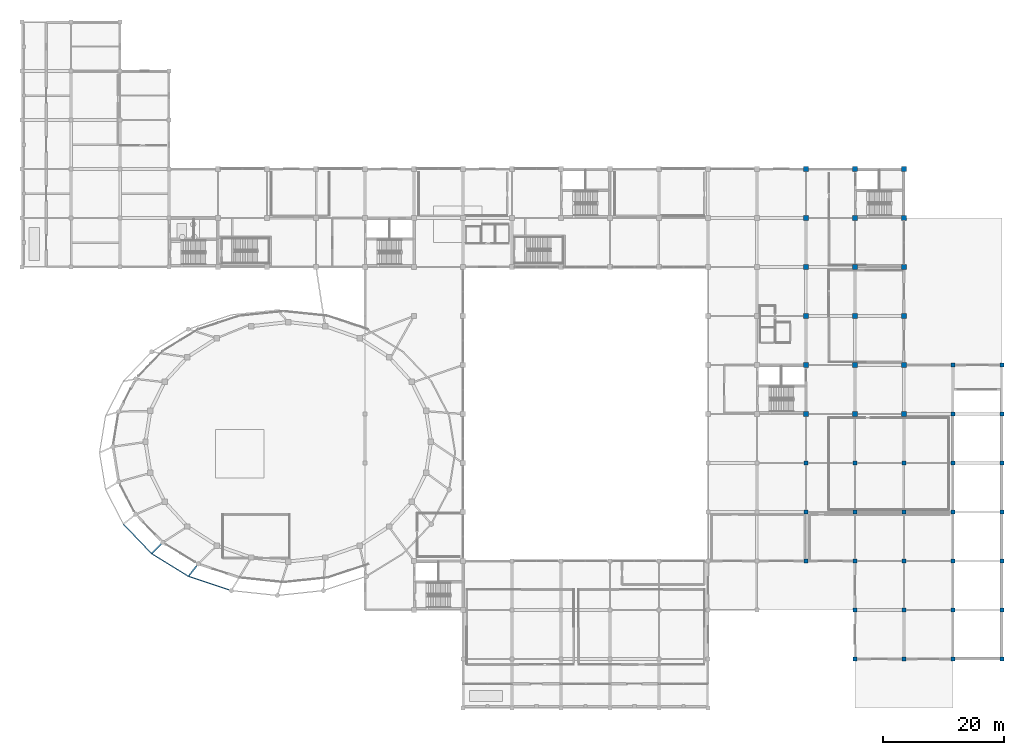
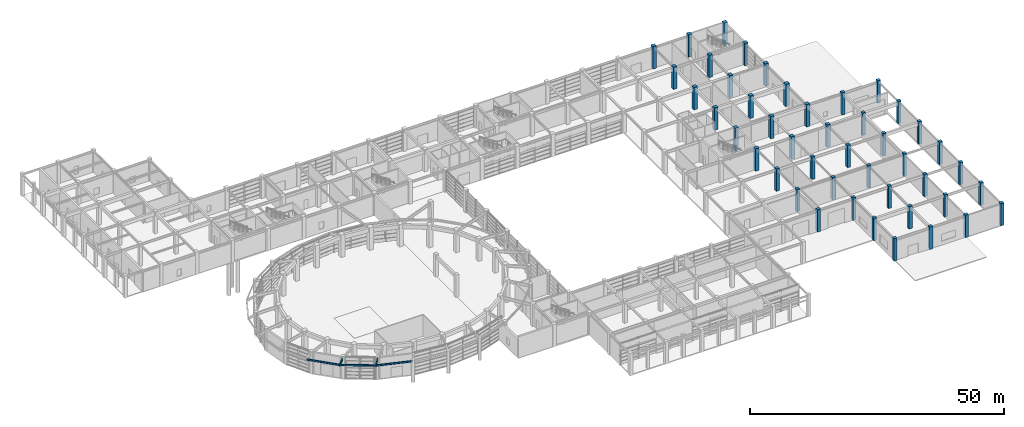
# One storey, part 2 of 52: 45 columns, 5 beams.
"""IFC4 building model written with IfcOpenShell, lengths in metres."""

from ifc_helpers import new_model, si_unit, direction, frame, origin, origin_2d, place, context, subcontext, project, spatial, rectangle, i_section, extrude, material, material_profile, profile_set, type_object, element, save


model = new_model("IFC4")

# Units and contexts
model_context = context("Model", 3, precision=1e-05, world=origin(), true_north=direction((0.0, 1.0)))
body_context = subcontext(model_context, "Body", "Model", "MODEL_VIEW")
ifc_project = project(units=[si_unit("LENGTHUNIT", "METRE"), si_unit("AREAUNIT", "SQUARE_METRE"), si_unit("VOLUMEUNIT", "CUBIC_METRE"), si_unit("PLANEANGLEUNIT", "RADIAN"), si_unit("MASSUNIT", "GRAM", prefix="KILO")], contexts=[model_context])

# Site, building, storey
site_placement = place(None, origin())
site = spatial("IfcSite", under=ifc_project, at=site_placement, CompositionType="ELEMENT")
building_placement = place(site_placement, origin())
building = spatial("IfcBuilding", under=site, at=building_placement, Name="Parian Resonance Hall", CompositionType="ELEMENT")
storey_placement = place(building_placement, origin())
storey = spatial("IfcBuildingStorey", under=building, at=storey_placement, Name="L00", CompositionType="ELEMENT", Elevation=0.0)

# Columns
ifc_material_1 = material(Name="Concrete C40/50", Category="concrete")
ifc_material_profile_1 = material_profile(ifc_material_1, rectangle(XDim=0.699951171875, YDim=0.699951171875, at=origin_2d()), Name="RC-COL-700x700")
ifc_profile_set_1 = profile_set([ifc_material_profile_1], Name="Concrete C40/50")
column_type_1 = type_object("IfcColumnType", Name="COL-RC700", PredefinedType="COLUMN", material=ifc_profile_set_1)
for number, where, z_axis, x_axis, name in (
    (1, (129.60009765625, 24.300048828125, 0.0), (0.0, 0.0, 1.0), (1.0, 0.0, 0.0), "Column G17-04 L00"),
    (2, (129.60009765625, 32.39990234375, 0.0), (0.0, 0.0, 1.0), (1.0, 0.0, 0.0), "Column G17-05 L00"),
    (3, (129.60009765625, 40.5, 0.0), (0.0, 0.0, 1.0), (1.0, 0.0, 0.0), "Column G17-06 L00"),
    (4, (137.699951171875, 8.10009765625, 0.0), (0.0, 0.0, 1.0), (1.0, 0.0, 0.0), "Column G18-02 L00"),
    (5, (137.699951171875, 16.199951171875, 0.0), (0.0, 0.0, 1.0), (1.0, 0.0, 0.0), "Column G18-03 L00"),
    (6, (137.699951171875, 24.300048828125, 0.0), (0.0, 0.0, 1.0), (1.0, 0.0, 0.0), "Column G18-04 L00"),
    (7, (137.699951171875, 32.39990234375, 0.0), (0.0, 0.0, 1.0), (1.0, 0.0, 0.0), "Column G18-05 L00"),
    (8, (137.699951171875, 40.5, 0.0), (0.0, 0.0, 1.0), (1.0, 0.0, 0.0), "Column G18-06 L00"),
    (9, (145.800048828125, 8.10009765625, 0.0), (0.0, 0.0, 1.0), (1.0, 0.0, 0.0), "Column G19-02 L00"),
    (10, (145.800048828125, 16.199951171875, 0.0), (0.0, 0.0, 1.0), (1.0, 0.0, 0.0), "Column G19-03 L00"),
    (11, (145.800048828125, 24.300048828125, 0.0), (0.0, 0.0, 1.0), (1.0, 0.0, 0.0), "Column G19-04 L00"),
    (12, (145.800048828125, 32.39990234375, 0.0), (0.0, 0.0, 1.0), (1.0, 0.0, 0.0), "Column G19-05 L00"),
    (13, (145.800048828125, 40.5, 0.0), (0.0, 0.0, 1.0), (1.0, 0.0, 0.0), "Column G19-06 L00"),
    (14, (153.89990234375, 8.10009765625, 0.0), (0.0, 0.0, 1.0), (1.0, 0.0, 0.0), "Column G20-02 L00"),
    (15, (153.89990234375, 16.199951171875, 0.0), (0.0, 0.0, 1.0), (1.0, 0.0, 0.0), "Column G20-03 L00"),
    (16, (153.89990234375, 24.300048828125, 0.0), (0.0, 0.0, 1.0), (1.0, 0.0, 0.0), "Column G20-04 L00"),
    (17, (153.89990234375, 32.39990234375, 0.0), (0.0, 0.0, 1.0), (1.0, 0.0, 0.0), "Column G20-05 L00"),
    (18, (153.89990234375, 40.5, 0.0), (0.0, 0.0, 1.0), (1.0, 0.0, 0.0), "Column G20-06 L00"),
    (19, (153.89990234375, 48.60009765625, 0.0), (0.0, 0.0, 1.0), (1.0, 0.0, 0.0), "Column G20-07 L00"),
    (20, (153.89990234375, 56.699951171875, 0.0), (0.0, 0.0, 1.0), (1.0, 0.0, 0.0), "Column G20-08 L00"),
    (21, (162.0, 8.10009765625, 0.0), (0.0, 0.0, 1.0), (1.0, 0.0, 0.0), "Column G21-02 L00"),
    (22, (162.0, 16.199951171875, 0.0), (0.0, 0.0, 1.0), (1.0, 0.0, 0.0), "Column G21-03 L00"),
    (23, (162.0, 24.300048828125, 0.0), (0.0, 0.0, 1.0), (1.0, 0.0, 0.0), "Column G21-04 L00"),
    (24, (162.0, 32.39990234375, 0.0), (0.0, 0.0, 1.0), (1.0, 0.0, 0.0), "Column G21-05 L00"),
    (25, (162.0, 40.5, 0.0), (0.0, 0.0, 1.0), (1.0, 0.0, 0.0), "Column G21-06 L00"),
    (26, (162.0, 48.60009765625, 0.0), (0.0, 0.0, 1.0), (1.0, 0.0, 0.0), "Column G21-07 L00"),
    (27, (162.0, 56.699951171875, 0.0), (0.0, 0.0, 1.0), (1.0, 0.0, 0.0), "Column G21-08 L00"),
):
    element("IfcColumn", number, at=place(storey_placement, frame(where, z_axis=z_axis, x_axis=x_axis)), inside=storey, type_object=column_type_1, Name=name, PredefinedType="COLUMN", context=body_context, shape_type="SweptSolid", body=[
        extrude(rectangle(XDim=0.699951171875, YDim=0.699951171875, at=origin_2d()), origin(), (0.0, 0.0, 1.0), 5.39990234375),
    ])
ifc_material_2 = material(Name="Concrete C40/50", Category="concrete")
ifc_material_profile_2 = material_profile(ifc_material_2, rectangle(XDim=0.800048828125, YDim=0.800048828125, at=origin_2d()), Name="RC-COL-800x800")
ifc_profile_set_2 = profile_set([ifc_material_profile_2], Name="Concrete C40/50")
column_type_2 = type_object("IfcColumnType", Name="COL-RC800", PredefinedType="COLUMN", material=ifc_profile_set_2)
for number, where, z_axis, x_axis, name in (
    (28, (129.60009765625, 48.60009765625, 0.0), (0.0, 0.0, 1.0), (1.0, 0.0, 0.0), "Column G17-07 L00"),
    (29, (129.60009765625, 56.699951171875, 0.0), (0.0, 0.0, 1.0), (1.0, 0.0, 0.0), "Column G17-08 L00"),
    (30, (129.60009765625, 64.800048828125, 0.0), (0.0, 0.0, 1.0), (1.0, 0.0, 0.0), "Column G17-09 L00"),
    (31, (129.60009765625, 72.89990234375, 0.0), (0.0, 0.0, 1.0), (1.0, 0.0, 0.0), "Column G17-10 L00"),
    (32, (129.60009765625, 81.0, 0.0), (0.0, 0.0, 1.0), (1.0, 0.0, 0.0), "Column G17-11 L00"),
    (33, (129.60009765625, 89.10009765625, 0.0), (0.0, 0.0, 1.0), (1.0, 0.0, 0.0), "Column G17-12 L00"),
    (34, (137.699951171875, 48.60009765625, 0.0), (0.0, 0.0, 1.0), (1.0, 0.0, 0.0), "Column G18-07 L00"),
    (35, (137.699951171875, 56.699951171875, 0.0), (0.0, 0.0, 1.0), (1.0, 0.0, 0.0), "Column G18-08 L00"),
    (36, (137.699951171875, 64.800048828125, 0.0), (0.0, 0.0, 1.0), (1.0, 0.0, 0.0), "Column G18-09 L00"),
    (37, (137.699951171875, 72.89990234375, 0.0), (0.0, 0.0, 1.0), (1.0, 0.0, 0.0), "Column G18-10 L00"),
    (38, (137.699951171875, 81.0, 0.0), (0.0, 0.0, 1.0), (1.0, 0.0, 0.0), "Column G18-11 L00"),
    (39, (137.699951171875, 89.10009765625, 0.0), (0.0, 0.0, 1.0), (1.0, 0.0, 0.0), "Column G18-12 L00"),
    (40, (145.800048828125, 48.60009765625, 0.0), (0.0, 0.0, 1.0), (1.0, 0.0, 0.0), "Column G19-07 L00"),
    (41, (145.800048828125, 56.699951171875, 0.0), (0.0, 0.0, 1.0), (1.0, 0.0, 0.0), "Column G19-08 L00"),
    (42, (145.800048828125, 64.800048828125, 0.0), (0.0, 0.0, 1.0), (1.0, 0.0, 0.0), "Column G19-09 L00"),
    (43, (145.800048828125, 72.89990234375, 0.0), (0.0, 0.0, 1.0), (1.0, 0.0, 0.0), "Column G19-10 L00"),
    (44, (145.800048828125, 81.0, 0.0), (0.0, 0.0, 1.0), (1.0, 0.0, 0.0), "Column G19-11 L00"),
    (45, (145.800048828125, 89.10009765625, 0.0), (0.0, 0.0, 1.0), (1.0, 0.0, 0.0), "Column G19-12 L00"),
):
    element("IfcColumn", number, at=place(storey_placement, frame(where, z_axis=z_axis, x_axis=x_axis)), inside=storey, type_object=column_type_2, Name=name, PredefinedType="COLUMN", context=body_context, shape_type="SweptSolid", body=[
        extrude(rectangle(XDim=0.800048828125, YDim=0.800048828125, at=origin_2d()), origin(), (0.0, 0.0, 1.0), 5.39990234375),
    ])

# Beams
ifc_material_3 = material(Name="Steel S355", Category="steel")
ifc_material_profile_3 = material_profile(ifc_material_3, i_section(OverallWidth=0.180908203125, OverallDepth=0.4169921875, WebThickness=0.010986328125, FlangeThickness=0.018310546875, FilletRadius=0.01513671875, at=origin_2d()), Name="W410x85")
ifc_profile_set_3 = profile_set([ifc_material_profile_3], Name="Steel S355")
beam_type_1 = type_object("IfcBeamType", Name="BM-W410x85", PredefinedType="SPANDREL", material=ifc_profile_set_3)
beam_1_placement = place(storey_placement, frame((16.739013671875, 30.39990234375, 4.92138671875), z_axis=(0.690985683524, -0.722868442502, 0.0), x_axis=(0.722868442502, 0.690985683524, 0.0)))
element("IfcBeam", 46, at=beam_1_placement, inside=storey, type_object=beam_type_1, Name="Elliptical R1 perimeter spandrel beam 15", PredefinedType="SPANDREL", context=body_context, shape_type="SweptSolid", body=[
    extrude(i_section(OverallWidth=0.180908203125, OverallDepth=0.4169921875, WebThickness=0.010986328125, FlangeThickness=0.018310546875, FilletRadius=0.01513671875, at=origin_2d()), origin(), (0.0, 0.0, 1.0), 6.761474609375),
])
beam_2_placement = place(storey_placement, frame((21.4111328125, 25.51220703125, 4.92138671875), z_axis=(0.851440218802, -0.524451669657, 0.0), x_axis=(0.524451669657, 0.851440218802, 0.0)))
element("IfcBeam", 47, at=beam_2_placement, inside=storey, type_object=beam_type_1, Name="Elliptical R1 perimeter spandrel beam 16", PredefinedType="SPANDREL", context=body_context, shape_type="SweptSolid", body=[
    extrude(i_section(OverallWidth=0.180908203125, OverallDepth=0.4169921875, WebThickness=0.010986328125, FlangeThickness=0.018310546875, FilletRadius=0.01513671875, at=origin_2d()), origin(), (0.0, 0.0, 1.0), 7.1513671875),
])
beam_3_placement = place(storey_placement, frame((27.5, 21.76171875, 4.92138671875), z_axis=(0.948931314288, -0.315482742417, 0.0), x_axis=(0.315482742417, 0.948931314288, 0.0)))
element("IfcBeam", 48, at=beam_3_placement, inside=storey, type_object=beam_type_1, Name="Elliptical R1 perimeter spandrel beam 17", PredefinedType="SPANDREL", context=body_context, shape_type="SweptSolid", body=[
    extrude(i_section(OverallWidth=0.180908203125, OverallDepth=0.4169921875, WebThickness=0.010986328125, FlangeThickness=0.018310546875, FilletRadius=0.01513671875, at=origin_2d()), origin(), (0.0, 0.0, 1.0), 7.472412109375),
])
ifc_material_4 = material(Name="Steel S355", Category="steel")
ifc_material_profile_4 = material_profile(ifc_material_4, i_section(OverallWidth=0.22998046875, OverallDepth=0.616943359375, WebThickness=0.01318359375, FlangeThickness=0.022216796875, FilletRadius=0.017822265625, at=origin_2d()), Name="W610x140")
ifc_profile_set_4 = profile_set([ifc_material_profile_4], Name="Steel S355")
beam_type_2 = type_object("IfcBeamType", Name="CG1 W610x140", PredefinedType="USERDEFINED", material=ifc_profile_set_4)
beam_4_placement = place(storey_placement, frame((23.259521484375, 27.36083984375, 4.821533203125), z_axis=(-0.707060084355, -0.707153474935, 0.0), x_axis=(0.707153474935, -0.707060084355, 0.0)))
element("IfcBeam", 49, at=beam_4_placement, inside=storey, type_object=beam_type_2, Name="Radial ring cantilever girder R1-16", ObjectType="GIRDER", PredefinedType="USERDEFINED", context=body_context, shape_type="SweptSolid", body=[
    extrude(i_section(OverallWidth=0.22998046875, OverallDepth=0.616943359375, WebThickness=0.01318359375, FlangeThickness=0.022216796875, FilletRadius=0.017822265625, at=origin_2d()), origin(), (0.0, 0.0, 1.0), 2.6142578125),
])
beam_5_placement = place(storey_placement, frame((29.10009765625, 23.801025390625, 4.821533203125), z_axis=(-0.617293140606, -0.786733232145, 0.0), x_axis=(0.786733232145, -0.617293140606, 0.0)))
element("IfcBeam", 50, at=beam_5_placement, inside=storey, type_object=beam_type_2, Name="Radial ring cantilever girder R1-17", ObjectType="GIRDER", PredefinedType="USERDEFINED", context=body_context, shape_type="SweptSolid", body=[
    extrude(i_section(OverallWidth=0.22998046875, OverallDepth=0.616943359375, WebThickness=0.01318359375, FlangeThickness=0.022216796875, FilletRadius=0.017822265625, at=origin_2d()), origin(), (0.0, 0.0, 1.0), 2.592041015625),
])

save(model, "model.ifc")
